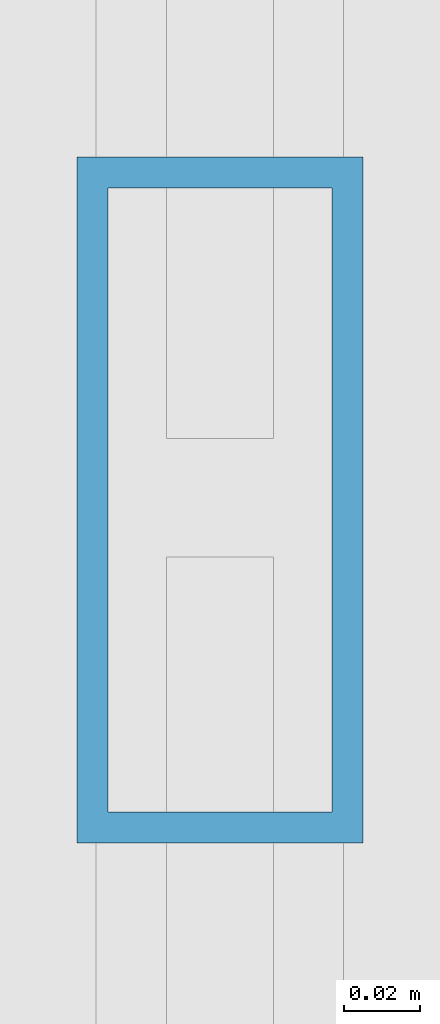
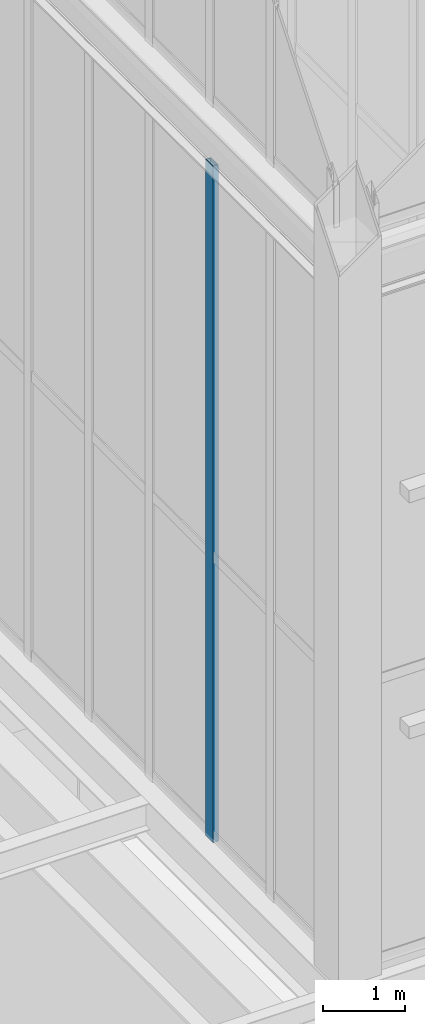
# One storey, part 39 of 135: 1 member, 1 element without a shape of its own.
"""IFC4 building model written with IfcOpenShell, lengths in metres."""

from ifc_helpers import new_model, si_unit, direction, frame, origin, origin_2d, place, context, subcontext, project, spatial, hollow_rectangle, extrude, source, transform, mapped, material, layer, layer_set, material_profile, profile_set, type_object, element, aggregate, save


model = new_model("IFC4")

# Units and contexts
model_context = context("Model", 3, precision=1e-05, world=origin(), true_north=direction((0.0, 1.0)))
body_context = subcontext(model_context, "Body", "Model", "MODEL_VIEW")
ifc_project = project(units=[si_unit("LENGTHUNIT", "METRE"), si_unit("AREAUNIT", "SQUARE_METRE"), si_unit("VOLUMEUNIT", "CUBIC_METRE"), si_unit("PLANEANGLEUNIT", "RADIAN"), si_unit("MASSUNIT", "GRAM", prefix="KILO")], contexts=[model_context])

# Site, building, storey
site_placement = place(None, origin())
site = spatial("IfcSite", under=ifc_project, at=site_placement, CompositionType="ELEMENT")
building_placement = place(site_placement, origin())
building = spatial("IfcBuilding", under=site, at=building_placement, Name="Giltprow Tower", CompositionType="ELEMENT")
storey_placement = place(building_placement, frame((0.0, 0.0, 352.699951171875)))
storey = spatial("IfcBuildingStorey", under=building, at=storey_placement, Name="L92", CompositionType="ELEMENT", Elevation=352.699951171875)

# Curtain wall, member
ifc_material = material(Name="Anodized bronze", Category="metal")
ifc_layer = layer(ifc_material, 0.179931640625, Name="Anodized bronze")
ifc_layer_set = layer_set([ifc_layer], Name="Anodized bronze")
curtain_wall_type = type_object("IfcCurtainWallType", Name="CW-CROWN-LANTERN", PredefinedType="NOTDEFINED", material=ifc_layer_set)
curtain_wall_placement = place(storey_placement, origin())
curtain_wall = element("IfcCurtainWall", 1, at=curtain_wall_placement, inside=storey, type_object=curtain_wall_type, Name="Crown East Lower Lantern Glazing 6", PredefinedType="NOTDEFINED")
ifc_material_profile = material_profile(ifc_material, hollow_rectangle(XDim=0.074951171875, YDim=0.179931640625, WallThickness=0.008056640625, at=origin_2d()), Name="RHS 180x75x8")
ifc_profile_set = profile_set([ifc_material_profile], Name="Anodized bronze")
member_type = type_object("IfcMemberType", Name="CW-MULLION-180x75", PredefinedType="MULLION", material=ifc_profile_set)
shared_shape = source(origin(), body_context, "Body", "SweptSolid", [
    extrude(hollow_rectangle(XDim=0.074951171875, YDim=0.179931640625, WallThickness=0.008056640625, at=origin_2d()), origin(), (0.0, 0.0, 1.0), 10.030029296875),
])
member_placement = place(storey_placement, frame((44.300048828125, 26.7939453125, 6.35009765625), z_axis=(0.0, 0.0, 1.0), x_axis=(1.0, 0.0, 0.0)))
member = element("IfcMember", 2, at=member_placement, type_object=member_type, Name="Crown East Lower Lantern Glazing 6 Mullion 8", PredefinedType="MULLION", context=body_context, shape_type="MappedRepresentation", body=[
    mapped(shared_shape, transform((0.0, 0.0, 0.0), x_axis=(1.0, 0.0, 0.0), y_axis=(0.0, 1.0, 0.0), z_axis=(0.0, 0.0, 1.0), scale=1.0)),
])
aggregate(curtain_wall, [member])

save(model, "model.ifc")
